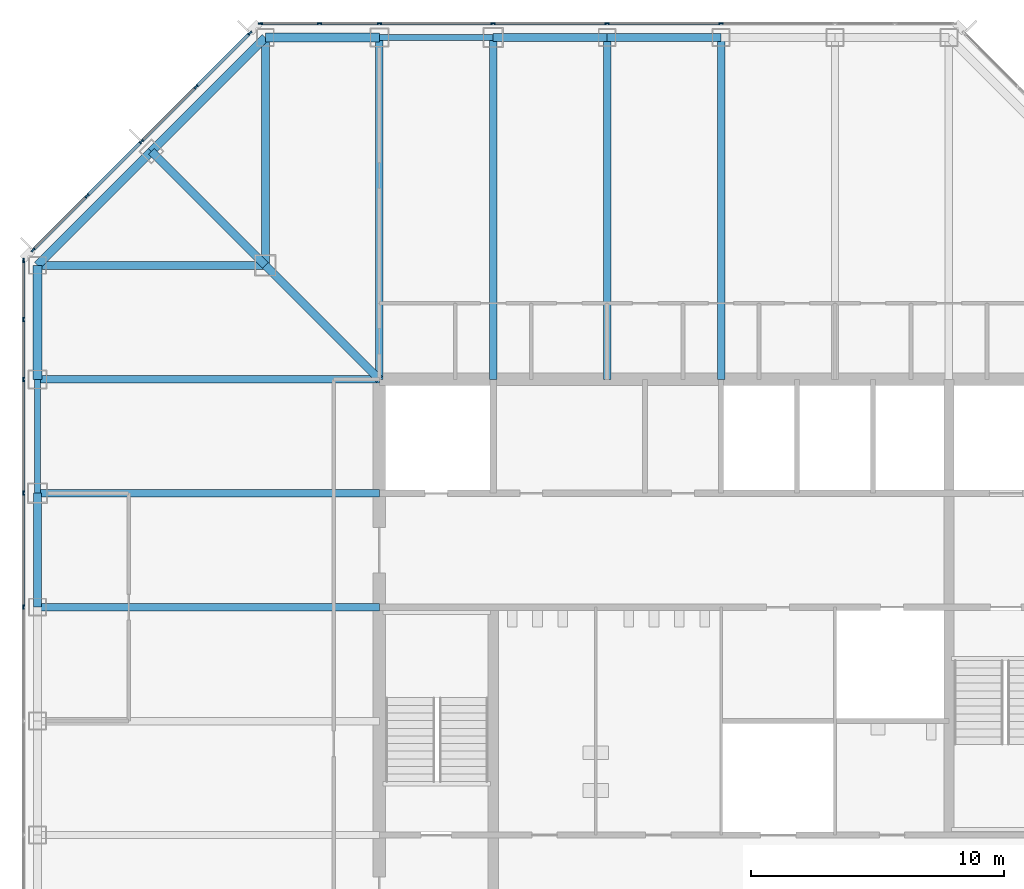
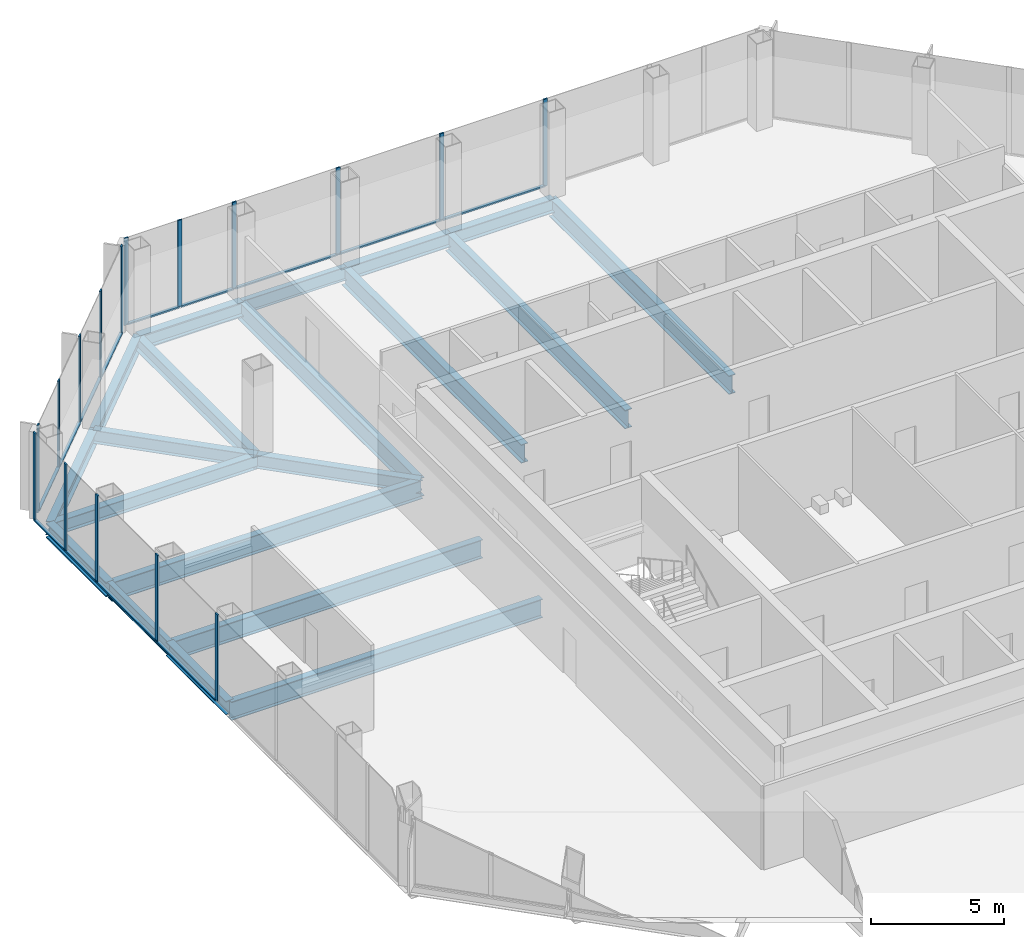
# One storey, part 5 of 12: 29 members, 20 beams, 3 elements without a shape of their own.
"""IFC4 building model written with IfcOpenShell, lengths in metres."""

from ifc_helpers import new_model, si_unit, direction, frame, origin, origin_2d, place, context, subcontext, project, spatial, rectangle, i_section, extrude, material, material_profile, profile_set, type_object, element, aggregate, save


model = new_model("IFC4")

# Units and contexts
model_context = context("Model", 3, precision=1e-05, world=origin(), true_north=direction((0.0, 1.0)))
body_context = subcontext(model_context, "Body", "Model", "MODEL_VIEW")
ifc_project = project(units=[si_unit("LENGTHUNIT", "METRE"), si_unit("AREAUNIT", "SQUARE_METRE"), si_unit("VOLUMEUNIT", "CUBIC_METRE"), si_unit("PLANEANGLEUNIT", "RADIAN"), si_unit("MASSUNIT", "GRAM", prefix="KILO")], contexts=[model_context])

# Site, building, storey
site_placement = place(None, origin())
site = spatial("IfcSite", under=ifc_project, at=site_placement, CompositionType="ELEMENT")
building_placement = place(site_placement, origin())
building = spatial("IfcBuilding", under=site, at=building_placement, Name="Corais Broadcast Tower", CompositionType="ELEMENT")
storey_placement = place(building_placement, frame((0.0, 0.0, 163.60009765625)))
storey = spatial("IfcBuildingStorey", under=building, at=storey_placement, Name="L37", CompositionType="ELEMENT", Elevation=163.60009765625)

# Beams
ifc_material_1 = material(Name="Steel ASTM A572 Grade 50", Category="steel")
ifc_material_profile_1 = material_profile(ifc_material_1, i_section(OverallWidth=0.323974609375, OverallDepth=0.611083984375, WebThickness=0.0126953125, FlangeThickness=0.01904296875, at=origin_2d()), Name="W610x155")
ifc_profile_set_1 = profile_set([ifc_material_profile_1], Name="Steel ASTM A572 Grade 50")
beam_type_1 = type_object("IfcBeamType", Name="Chamfer tie W610x155", PredefinedType="BEAM", material=ifc_profile_set_1)
beam_1_placement = place(storey_placement, frame((4.5, 49.5, -0.465576171875), z_axis=(0.707106781187, -0.707106781187, 0.0), x_axis=(0.707106781187, 0.707106781187, 0.0)))
element("IfcBeam", 1, at=beam_1_placement, inside=storey, type_object=beam_type_1, Name="B5 M/4 to L/5", PredefinedType="BEAM", context=body_context, shape_type="SweptSolid", body=[
    extrude(i_section(OverallWidth=0.323974609375, OverallDepth=0.611083984375, WebThickness=0.0126953125, FlangeThickness=0.01904296875, at=origin_2d()), origin(), (0.0, 0.0, 1.0), 6.364013671875),
])
ifc_material_2 = material(Name="Steel ASTM A572 Grade 50", Category="steel")
ifc_material_profile_2 = material_profile(ifc_material_2, i_section(OverallWidth=0.323974609375, OverallDepth=0.611083984375, WebThickness=0.0126953125, FlangeThickness=0.01904296875, at=origin_2d()), Name="W610x155")
ifc_profile_set_2 = profile_set([ifc_material_profile_2], Name="Steel ASTM A572 Grade 50")
beam_type_2 = type_object("IfcBeamType", Name="Corner diagonal W610x155", PredefinedType="BEAM", material=ifc_profile_set_2)
beam_2_placement = place(storey_placement, frame((9.0, 45.0, -0.465576171875), z_axis=(0.707106781187, -0.707106781187, 0.0), x_axis=(0.707106781187, 0.707106781187, 0.0)))
element("IfcBeam", 2, at=beam_2_placement, inside=storey, type_object=beam_type_2, Name="B6 L/5 to K/6", PredefinedType="BEAM", context=body_context, shape_type="SweptSolid", body=[
    extrude(i_section(OverallWidth=0.323974609375, OverallDepth=0.611083984375, WebThickness=0.0126953125, FlangeThickness=0.01904296875, at=origin_2d()), origin(), (0.0, 0.0, 1.0), 6.364013671875),
])
ifc_material_3 = material(Name="Steel ASTM A572 Grade 50", Category="steel")
ifc_material_profile_3 = material_profile(ifc_material_3, i_section(OverallWidth=0.323974609375, OverallDepth=0.611083984375, WebThickness=0.0126953125, FlangeThickness=0.01904296875, at=origin_2d()), Name="W610x155")
ifc_profile_set_3 = profile_set([ifc_material_profile_3], Name="Steel ASTM A572 Grade 50")
beam_type_3 = type_object("IfcBeamType", Name="Corner girder W610x155", PredefinedType="BEAM", material=ifc_profile_set_3)
for number, where, z_axis, x_axis, name in (
    (3, (0.0, 45.0, -0.465576171875), (1.0, 0.0, 0.0), (0.0, 1.0, 0.0), "B4 L/3 to L/5"),
    (4, (9.0, 54.0, -0.465576171875), (0.0, -1.0, 0.0), (1.0, 0.0, 0.0), "B4 N/5 to L/5"),
):
    element("IfcBeam", number, at=place(storey_placement, frame(where, z_axis=z_axis, x_axis=x_axis)), inside=storey, type_object=beam_type_3, Name=name, PredefinedType="BEAM", context=body_context, shape_type="SweptSolid", body=[
        extrude(i_section(OverallWidth=0.323974609375, OverallDepth=0.611083984375, WebThickness=0.0126953125, FlangeThickness=0.01904296875, at=origin_2d()), origin(), (0.0, 0.0, 1.0), 9.0),
    ])
ifc_material_4 = material(Name="Steel ASTM A572 Grade 50", Category="steel")
ifc_material_profile_4 = material_profile(ifc_material_4, i_section(OverallWidth=0.337890625, OverallDepth=0.677978515625, WebThickness=0.029541015625, FlangeThickness=0.052978515625, at=origin_2d()), Name="W610x415")
ifc_profile_set_4 = profile_set([ifc_material_profile_4], Name="Steel ASTM A572 Grade 50")
beam_type_4 = type_object("IfcBeamType", Name="Corner spandrel W610x415", PredefinedType="BEAM", material=ifc_profile_set_4)
for number, where, z_axis, x_axis, name in (
    (5, (0.0, 45.0, -0.4990234375), (0.0, -1.0, 0.0), (1.0, 0.0, 0.0), "SB10 L/3 to K/3"),
    (6, (13.5, 54.0, -0.4990234375), (-1.0, 0.0, 0.0), (0.0, -1.0, 0.0), "SB10 N/6 to N/5"),
):
    element("IfcBeam", number, at=place(storey_placement, frame(where, z_axis=z_axis, x_axis=x_axis)), inside=storey, type_object=beam_type_4, Name=name, PredefinedType="BEAM", context=body_context, shape_type="SweptSolid", body=[
        extrude(i_section(OverallWidth=0.337890625, OverallDepth=0.677978515625, WebThickness=0.029541015625, FlangeThickness=0.052978515625, at=origin_2d()), origin(), (0.0, 0.0, 1.0), 4.5),
    ])
ifc_material_5 = material(Name="Steel ASTM A572 Grade 50", Category="steel")
ifc_material_profile_5 = material_profile(ifc_material_5, i_section(OverallWidth=0.2939453125, OverallDepth=0.85107421875, WebThickness=0.01611328125, FlangeThickness=0.02685546875, at=origin_2d()), Name="W840x226")
ifc_profile_set_5 = profile_set([ifc_material_profile_5], Name="Steel ASTM A572 Grade 50")
beam_type_5 = type_object("IfcBeamType", Name="Floor beam W840x226", PredefinedType="BEAM", material=ifc_profile_set_5)
for number, where, z_axis, x_axis, name in (
    (7, (0.0, 31.5, -0.585693359375), (1.0, 0.0, 0.0), (0.0, 1.0, 0.0), "B1 H/3 to H/6"),
    (8, (0.0, 36.0, -0.585693359375), (1.0, 0.0, 0.0), (0.0, 1.0, 0.0), "B1 J/3 to J/6"),
    (9, (0.0, 40.5, -0.585693359375), (1.0, 0.0, 0.0), (0.0, 1.0, 0.0), "B1 K/3 to K/6"),
    (10, (13.5, 54.0, -0.585693359375), (0.0, -1.0, 0.0), (1.0, 0.0, 0.0), "B1 N/6 to K/6"),
    (11, (18.0, 54.0, -0.585693359375), (0.0, -1.0, 0.0), (1.0, 0.0, 0.0), "B1 N/7 to K/7"),
    (12, (22.5, 54.0, -0.585693359375), (0.0, -1.0, 0.0), (1.0, 0.0, 0.0), "B1 N/8 to K/8"),
    (13, (27.0, 54.0, -0.585693359375), (0.0, -1.0, 0.0), (1.0, 0.0, 0.0), "B1 N/9 to K/9"),
):
    element("IfcBeam", number, at=place(storey_placement, frame(where, z_axis=z_axis, x_axis=x_axis)), inside=storey, type_object=beam_type_5, Name=name, PredefinedType="BEAM", context=body_context, shape_type="SweptSolid", body=[
        extrude(i_section(OverallWidth=0.2939453125, OverallDepth=0.85107421875, WebThickness=0.01611328125, FlangeThickness=0.02685546875, at=origin_2d()), origin(), (0.0, 0.0, 1.0), 13.5),
    ])

# Curtain wall, members
ifc_material_6 = material(Name="Aluminium and glass", Category="aluminium")
curtain_wall_type = type_object("IfcCurtainWallType", Name="Unitised fritted curtain wall CW2", PredefinedType="NOTDEFINED", material=ifc_material_6)
curtain_wall_1_placement = place(storey_placement, origin())
curtain_wall_1 = element("IfcCurtainWall", 14, at=curtain_wall_1_placement, inside=storey, type_object=curtain_wall_type, Name="CW2 curtain wall L37 2", PredefinedType="NOTDEFINED")
ifc_material_7 = material(Name="Aluminium 6063-T6", Category="aluminium")
ifc_material_profile_6 = material_profile(ifc_material_7, rectangle(XDim=0.06494140625, YDim=0.179931640625, at=origin_2d()), Name="Mullion CW2 65x180")
ifc_profile_set_6 = profile_set([ifc_material_profile_6], Name="Aluminium 6063-T6")
member_type_1 = type_object("IfcMemberType", Name="Mullion CW2 65x180", PredefinedType="MULLION", material=ifc_profile_set_6)
member_1_placement = place(storey_placement, frame((-0.550048828125, 31.5, 0.0), z_axis=(0.0, 0.0, 1.0), x_axis=(-1.0, 0.0, 0.0)))
member_1 = element("IfcMember", 15, at=member_1_placement, type_object=member_type_1, Name="CW2 mullion 5", PredefinedType="MULLION", context=body_context, shape_type="SweptSolid", body=[
    extrude(rectangle(XDim=0.06494140625, YDim=0.179931640625, at=origin_2d()), origin(), (0.0, 0.0, 1.0), 4.0),
])
member_2_placement = place(storey_placement, frame((-0.550048828125, 36.0, 0.0), z_axis=(0.0, 0.0, 1.0), x_axis=(-1.0, 0.0, 0.0)))
member_2 = element("IfcMember", 16, at=member_2_placement, type_object=member_type_1, Name="CW2 mullion 6", PredefinedType="MULLION", context=body_context, shape_type="SweptSolid", body=[
    extrude(rectangle(XDim=0.06494140625, YDim=0.179931640625, at=origin_2d()), origin(), (0.0, 0.0, 1.0), 4.0),
])
member_3_placement = place(storey_placement, frame((-0.550048828125, 40.5, 0.0), z_axis=(0.0, 0.0, 1.0), x_axis=(-1.0, 0.0, 0.0)))
member_3 = element("IfcMember", 17, at=member_3_placement, type_object=member_type_1, Name="CW2 mullion 7", PredefinedType="MULLION", context=body_context, shape_type="SweptSolid", body=[
    extrude(rectangle(XDim=0.06494140625, YDim=0.179931640625, at=origin_2d()), origin(), (0.0, 0.0, 1.0), 4.0),
])
member_4_placement = place(storey_placement, frame((-0.550048828125, 42.864013671875, 0.0), z_axis=(0.0, 0.0, 1.0), x_axis=(-1.0, 0.0, 0.0)))
member_4 = element("IfcMember", 18, at=member_4_placement, type_object=member_type_1, Name="CW2 mullion 8", PredefinedType="MULLION", context=body_context, shape_type="SweptSolid", body=[
    extrude(rectangle(XDim=0.06494140625, YDim=0.179931640625, at=origin_2d()), origin(), (0.0, 0.0, 1.0), 4.0),
])
member_5_placement = place(storey_placement, frame((-0.550048828125, 45.1953125, 0.0), z_axis=(0.0, 0.0, 1.0), x_axis=(-1.0, 0.0, 0.0)))
member_5 = element("IfcMember", 19, at=member_5_placement, type_object=member_type_1, Name="CW2 mullion 9", PredefinedType="MULLION", context=body_context, shape_type="SweptSolid", body=[
    extrude(rectangle(XDim=0.06494140625, YDim=0.179931640625, at=origin_2d()), origin(), (0.0, 0.0, 1.0), 4.0),
])

curtain_wall_2_placement = place(storey_placement, origin())
curtain_wall_2 = element("IfcCurtainWall", 20, at=curtain_wall_2_placement, inside=storey, type_object=curtain_wall_type, Name="CW2 curtain wall L37 3", PredefinedType="NOTDEFINED")
member_6_placement = place(storey_placement, frame((-0.17333984375, 45.6044921875, 0.0), z_axis=(0.0, 0.0, 1.0), x_axis=(-0.707106781187, 0.707106781187, 0.0)))
member_6 = element("IfcMember", 21, at=member_6_placement, type_object=member_type_1, Name="CW2 mullion 1", PredefinedType="MULLION", context=body_context, shape_type="SweptSolid", body=[
    extrude(rectangle(XDim=0.06494140625, YDim=0.179931640625, at=origin_2d()), origin(), (0.0, 0.0, 1.0), 4.0),
])
member_7_placement = place(storey_placement, frame((1.957275390625, 47.735107421875, 0.0), z_axis=(0.0, 0.0, 1.0), x_axis=(-0.707106781187, 0.707106781187, 0.0)))
member_7 = element("IfcMember", 22, at=member_7_placement, type_object=member_type_1, Name="CW2 mullion 2", PredefinedType="MULLION", context=body_context, shape_type="SweptSolid", body=[
    extrude(rectangle(XDim=0.06494140625, YDim=0.179931640625, at=origin_2d()), origin(), (0.0, 0.0, 1.0), 4.0),
])
member_8_placement = place(storey_placement, frame((4.111083984375, 49.888916015625, 0.0), z_axis=(0.0, 0.0, 1.0), x_axis=(-0.707106781187, 0.707106781187, 0.0)))
member_8 = element("IfcMember", 23, at=member_8_placement, type_object=member_type_1, Name="CW2 mullion 3", PredefinedType="MULLION", context=body_context, shape_type="SweptSolid", body=[
    extrude(rectangle(XDim=0.06494140625, YDim=0.179931640625, at=origin_2d()), origin(), (0.0, 0.0, 1.0), 4.0),
])
member_9_placement = place(storey_placement, frame((6.264892578125, 52.042724609375, 0.0), z_axis=(0.0, 0.0, 1.0), x_axis=(-0.707106781187, 0.707106781187, 0.0)))
member_9 = element("IfcMember", 24, at=member_9_placement, type_object=member_type_1, Name="CW2 mullion 4", PredefinedType="MULLION", context=body_context, shape_type="SweptSolid", body=[
    extrude(rectangle(XDim=0.06494140625, YDim=0.179931640625, at=origin_2d()), origin(), (0.0, 0.0, 1.0), 4.0),
])
member_10_placement = place(storey_placement, frame((8.3955078125, 54.17333984375, 0.0), z_axis=(0.0, 0.0, 1.0), x_axis=(-0.707106781187, 0.707106781187, 0.0)))
member_10 = element("IfcMember", 25, at=member_10_placement, type_object=member_type_1, Name="CW2 mullion 5", PredefinedType="MULLION", context=body_context, shape_type="SweptSolid", body=[
    extrude(rectangle(XDim=0.06494140625, YDim=0.179931640625, at=origin_2d()), origin(), (0.0, 0.0, 1.0), 4.0),
])

curtain_wall_3_placement = place(storey_placement, origin())
curtain_wall_3 = element("IfcCurtainWall", 26, at=curtain_wall_3_placement, inside=storey, type_object=curtain_wall_type, Name="CW2 curtain wall L37 4", PredefinedType="NOTDEFINED")
member_11_placement = place(storey_placement, frame((8.8046875, 54.550048828125, 0.0), z_axis=(0.0, 0.0, 1.0), x_axis=(0.0, 1.0, 0.0)))
member_11 = element("IfcMember", 27, at=member_11_placement, type_object=member_type_1, Name="CW2 mullion 1", PredefinedType="MULLION", context=body_context, shape_type="SweptSolid", body=[
    extrude(rectangle(XDim=0.06494140625, YDim=0.179931640625, at=origin_2d()), origin(), (0.0, 0.0, 1.0), 4.0),
])
member_12_placement = place(storey_placement, frame((11.135986328125, 54.550048828125, 0.0), z_axis=(0.0, 0.0, 1.0), x_axis=(0.0, 1.0, 0.0)))
member_12 = element("IfcMember", 28, at=member_12_placement, type_object=member_type_1, Name="CW2 mullion 2", PredefinedType="MULLION", context=body_context, shape_type="SweptSolid", body=[
    extrude(rectangle(XDim=0.06494140625, YDim=0.179931640625, at=origin_2d()), origin(), (0.0, 0.0, 1.0), 4.0),
])
member_13_placement = place(storey_placement, frame((13.5, 54.550048828125, 0.0), z_axis=(0.0, 0.0, 1.0), x_axis=(0.0, 1.0, 0.0)))
member_13 = element("IfcMember", 29, at=member_13_placement, type_object=member_type_1, Name="CW2 mullion 3", PredefinedType="MULLION", context=body_context, shape_type="SweptSolid", body=[
    extrude(rectangle(XDim=0.06494140625, YDim=0.179931640625, at=origin_2d()), origin(), (0.0, 0.0, 1.0), 4.0),
])
member_14_placement = place(storey_placement, frame((18.0, 54.550048828125, 0.0), z_axis=(0.0, 0.0, 1.0), x_axis=(0.0, 1.0, 0.0)))
member_14 = element("IfcMember", 30, at=member_14_placement, type_object=member_type_1, Name="CW2 mullion 4", PredefinedType="MULLION", context=body_context, shape_type="SweptSolid", body=[
    extrude(rectangle(XDim=0.06494140625, YDim=0.179931640625, at=origin_2d()), origin(), (0.0, 0.0, 1.0), 4.0),
])
member_15_placement = place(storey_placement, frame((22.5, 54.550048828125, 0.0), z_axis=(0.0, 0.0, 1.0), x_axis=(0.0, 1.0, 0.0)))
member_15 = element("IfcMember", 31, at=member_15_placement, type_object=member_type_1, Name="CW2 mullion 5", PredefinedType="MULLION", context=body_context, shape_type="SweptSolid", body=[
    extrude(rectangle(XDim=0.06494140625, YDim=0.179931640625, at=origin_2d()), origin(), (0.0, 0.0, 1.0), 4.0),
])
member_16_placement = place(storey_placement, frame((27.0, 54.550048828125, 0.0), z_axis=(0.0, 0.0, 1.0), x_axis=(0.0, 1.0, 0.0)))
member_16 = element("IfcMember", 32, at=member_16_placement, type_object=member_type_1, Name="CW2 mullion 6", PredefinedType="MULLION", context=body_context, shape_type="SweptSolid", body=[
    extrude(rectangle(XDim=0.06494140625, YDim=0.179931640625, at=origin_2d()), origin(), (0.0, 0.0, 1.0), 4.0),
])

# Beams
ifc_material_8 = material(Name="Steel ASTM A572 Grade 50", Category="steel")
ifc_material_profile_7 = material_profile(ifc_material_8, i_section(OverallWidth=0.22900390625, OverallDepth=0.612060546875, WebThickness=0.011962890625, FlangeThickness=0.01953125, at=origin_2d()), Name="W610x125")
ifc_profile_set_7 = profile_set([ifc_material_profile_7], Name="Steel ASTM A572 Grade 50")
beam_type_6 = type_object("IfcBeamType", Name="Pinned spandrel W610x125", PredefinedType="BEAM", material=ifc_profile_set_7)
for number, where, z_axis, x_axis, name in (
    (33, (0.0, 40.5, -0.466064453125), (0.0, -1.0, 0.0), (1.0, 0.0, 0.0), "SB7 K/3 to J/3"),
    (34, (18.0, 54.0, -0.466064453125), (-1.0, 0.0, 0.0), (0.0, -1.0, 0.0), "SB7 N/7 to N/6"),
):
    element("IfcBeam", number, at=place(storey_placement, frame(where, z_axis=z_axis, x_axis=x_axis)), inside=storey, type_object=beam_type_6, Name=name, PredefinedType="BEAM", context=body_context, shape_type="SweptSolid", body=[
        extrude(i_section(OverallWidth=0.22900390625, OverallDepth=0.612060546875, WebThickness=0.011962890625, FlangeThickness=0.01953125, at=origin_2d()), origin(), (0.0, 0.0, 1.0), 4.5),
    ])
ifc_material_9 = material(Name="Steel ASTM A572 Grade 50", Category="steel")
ifc_material_profile_8 = material_profile(ifc_material_9, i_section(OverallWidth=0.3291015625, OverallDepth=0.635009765625, WebThickness=0.017822265625, FlangeThickness=0.031005859375, at=origin_2d()), Name="W610x241")
ifc_profile_set_8 = profile_set([ifc_material_profile_8], Name="Steel ASTM A572 Grade 50")
beam_type_7 = type_object("IfcBeamType", Name="Spandrel W610x241", PredefinedType="BEAM", material=ifc_profile_set_8)
for number, where, z_axis, x_axis, name in (
    (35, (0.0, 36.0, -0.4775390625), (0.0, -1.0, 0.0), (1.0, 0.0, 0.0), "SB1 J/3 to H/3"),
    (36, (22.5, 54.0, -0.4775390625), (-1.0, 0.0, 0.0), (0.0, -1.0, 0.0), "SB1 N/8 to N/7"),
    (37, (27.0, 54.0, -0.4775390625), (-1.0, 0.0, 0.0), (0.0, -1.0, 0.0), "SB1 N/9 to N/8"),
):
    element("IfcBeam", number, at=place(storey_placement, frame(where, z_axis=z_axis, x_axis=x_axis)), inside=storey, type_object=beam_type_7, Name=name, PredefinedType="BEAM", context=body_context, shape_type="SweptSolid", body=[
        extrude(i_section(OverallWidth=0.3291015625, OverallDepth=0.635009765625, WebThickness=0.017822265625, FlangeThickness=0.031005859375, at=origin_2d()), origin(), (0.0, 0.0, 1.0), 4.5),
    ])
for number, where, z_axis, x_axis, name in (
    (38, (4.5, 49.5, -0.4775390625), (-0.707106781187, -0.707106781187, 0.0), (0.707106781187, -0.707106781187, 0.0), "SB1 M/4 to L/3"),
    (39, (9.0, 54.0, -0.4775390625), (-0.707106781187, -0.707106781187, 0.0), (0.707106781187, -0.707106781187, 0.0), "SB1 N/5 to M/4"),
):
    element("IfcBeam", number, at=place(storey_placement, frame(where, z_axis=z_axis, x_axis=x_axis)), inside=storey, type_object=beam_type_7, Name=name, PredefinedType="BEAM", context=body_context, shape_type="SweptSolid", body=[
        extrude(i_section(OverallWidth=0.3291015625, OverallDepth=0.635009765625, WebThickness=0.017822265625, FlangeThickness=0.031005859375, at=origin_2d()), origin(), (0.0, 0.0, 1.0), 6.364013671875),
    ])

# Member
ifc_material_10 = material(Name="Aluminium 6063-T6", Category="aluminium")
ifc_material_profile_9 = material_profile(ifc_material_10, rectangle(XDim=0.1298828125, YDim=0.06494140625, at=origin_2d()), Name="Transom CW2 65x130")
ifc_profile_set_9 = profile_set([ifc_material_profile_9], Name="Aluminium 6063-T6")
member_type_2 = type_object("IfcMemberType", Name="Transom CW2 65x130", PredefinedType="USERDEFINED", material=ifc_profile_set_9)
member_17_placement = place(storey_placement, frame((-0.550048828125, 31.532470703125, 0.032470703125), z_axis=(0.0, 1.0, 0.0), x_axis=(-1.0, 0.0, 0.0)))
member_17 = element("IfcMember", 40, at=member_17_placement, type_object=member_type_2, Name="CW2 transom 5.1", ObjectType="TRANSOM", PredefinedType="USERDEFINED", context=body_context, shape_type="SweptSolid", body=[
    extrude(rectangle(XDim=0.1298828125, YDim=0.06494140625, at=origin_2d()), origin(), (0.0, 0.0, 1.0), 4.43505859375),
])

member_18_placement = place(storey_placement, frame((-0.550048828125, 36.032470703125, 0.032470703125), z_axis=(0.0, 1.0, 0.0), x_axis=(-1.0, 0.0, 0.0)))
member_18 = element("IfcMember", 41, at=member_18_placement, type_object=member_type_2, Name="CW2 transom 6.1", ObjectType="TRANSOM", PredefinedType="USERDEFINED", context=body_context, shape_type="SweptSolid", body=[
    extrude(rectangle(XDim=0.1298828125, YDim=0.06494140625, at=origin_2d()), origin(), (0.0, 0.0, 1.0), 4.43505859375),
])

member_19_placement = place(storey_placement, frame((-0.550048828125, 40.532470703125, 0.032470703125), z_axis=(0.0, 1.0, 0.0), x_axis=(-1.0, 0.0, 0.0)))
member_19 = element("IfcMember", 42, at=member_19_placement, type_object=member_type_2, Name="CW2 transom 7.1", ObjectType="TRANSOM", PredefinedType="USERDEFINED", context=body_context, shape_type="SweptSolid", body=[
    extrude(rectangle(XDim=0.1298828125, YDim=0.06494140625, at=origin_2d()), origin(), (0.0, 0.0, 1.0), 2.298828125),
])

member_20_placement = place(storey_placement, frame((-0.550048828125, 42.896484375, 0.032470703125), z_axis=(0.0, 1.0, 0.0), x_axis=(-1.0, 0.0, 0.0)))
member_20 = element("IfcMember", 43, at=member_20_placement, type_object=member_type_2, Name="CW2 transom 8.1", ObjectType="TRANSOM", PredefinedType="USERDEFINED", context=body_context, shape_type="SweptSolid", body=[
    extrude(rectangle(XDim=0.1298828125, YDim=0.06494140625, at=origin_2d()), origin(), (0.0, 0.0, 1.0), 2.266357421875),
])

aggregate(curtain_wall_1, [member_1, member_2, member_3, member_4, member_5, member_17, member_18, member_19, member_20])

member_21_placement = place(storey_placement, frame((-0.150390625, 45.62744140625, 0.032470703125), z_axis=(0.707106781187, 0.707106781187, 0.0), x_axis=(-0.707106781187, 0.707106781187, 0.0)))
member_21 = element("IfcMember", 44, at=member_21_placement, type_object=member_type_2, Name="CW2 transom 1.1", ObjectType="TRANSOM", PredefinedType="USERDEFINED", context=body_context, shape_type="SweptSolid", body=[
    extrude(rectangle(XDim=0.1298828125, YDim=0.06494140625, at=origin_2d()), origin(), (0.0, 0.0, 1.0), 2.9482421875),
])

member_22_placement = place(storey_placement, frame((1.980224609375, 47.758056640625, 0.032470703125), z_axis=(0.707106781187, 0.707106781187, 0.0), x_axis=(-0.707106781187, 0.707106781187, 0.0)))
member_22 = element("IfcMember", 45, at=member_22_placement, type_object=member_type_2, Name="CW2 transom 2.1", ObjectType="TRANSOM", PredefinedType="USERDEFINED", context=body_context, shape_type="SweptSolid", body=[
    extrude(rectangle(XDim=0.1298828125, YDim=0.06494140625, at=origin_2d()), origin(), (0.0, 0.0, 1.0), 2.98095703125),
])

member_23_placement = place(storey_placement, frame((4.134033203125, 49.911865234375, 0.032470703125), z_axis=(0.707106781187, 0.707106781187, 0.0), x_axis=(-0.707106781187, 0.707106781187, 0.0)))
member_23 = element("IfcMember", 46, at=member_23_placement, type_object=member_type_2, Name="CW2 transom 3.1", ObjectType="TRANSOM", PredefinedType="USERDEFINED", context=body_context, shape_type="SweptSolid", body=[
    extrude(rectangle(XDim=0.1298828125, YDim=0.06494140625, at=origin_2d()), origin(), (0.0, 0.0, 1.0), 2.98095703125),
])

member_24_placement = place(storey_placement, frame((6.287841796875, 52.065673828125, 0.032470703125), z_axis=(0.707106781187, 0.707106781187, 0.0), x_axis=(-0.707106781187, 0.707106781187, 0.0)))
member_24 = element("IfcMember", 47, at=member_24_placement, type_object=member_type_2, Name="CW2 transom 4.1", ObjectType="TRANSOM", PredefinedType="USERDEFINED", context=body_context, shape_type="SweptSolid", body=[
    extrude(rectangle(XDim=0.1298828125, YDim=0.06494140625, at=origin_2d()), origin(), (0.0, 0.0, 1.0), 2.9482421875),
])

aggregate(curtain_wall_2, [member_6, member_7, member_8, member_9, member_10, member_21, member_22, member_23, member_24])

member_25_placement = place(storey_placement, frame((8.837158203125, 54.550048828125, 0.032470703125), z_axis=(1.0, 0.0, 0.0), x_axis=(0.0, 1.0, 0.0)))
member_25 = element("IfcMember", 48, at=member_25_placement, type_object=member_type_2, Name="CW2 transom 1.1", ObjectType="TRANSOM", PredefinedType="USERDEFINED", context=body_context, shape_type="SweptSolid", body=[
    extrude(rectangle(XDim=0.1298828125, YDim=0.06494140625, at=origin_2d()), origin(), (0.0, 0.0, 1.0), 2.266357421875),
])

member_26_placement = place(storey_placement, frame((11.168701171875, 54.550048828125, 0.032470703125), z_axis=(1.0, 0.0, 0.0), x_axis=(0.0, 1.0, 0.0)))
member_26 = element("IfcMember", 49, at=member_26_placement, type_object=member_type_2, Name="CW2 transom 2.1", ObjectType="TRANSOM", PredefinedType="USERDEFINED", context=body_context, shape_type="SweptSolid", body=[
    extrude(rectangle(XDim=0.1298828125, YDim=0.06494140625, at=origin_2d()), origin(), (0.0, 0.0, 1.0), 2.298828125),
])

member_27_placement = place(storey_placement, frame((13.532470703125, 54.550048828125, 0.032470703125), z_axis=(1.0, 0.0, 0.0), x_axis=(0.0, 1.0, 0.0)))
member_27 = element("IfcMember", 50, at=member_27_placement, type_object=member_type_2, Name="CW2 transom 3.1", ObjectType="TRANSOM", PredefinedType="USERDEFINED", context=body_context, shape_type="SweptSolid", body=[
    extrude(rectangle(XDim=0.1298828125, YDim=0.06494140625, at=origin_2d()), origin(), (0.0, 0.0, 1.0), 4.43505859375),
])

member_28_placement = place(storey_placement, frame((18.032470703125, 54.550048828125, 0.032470703125), z_axis=(1.0, 0.0, 0.0), x_axis=(0.0, 1.0, 0.0)))
member_28 = element("IfcMember", 51, at=member_28_placement, type_object=member_type_2, Name="CW2 transom 4.1", ObjectType="TRANSOM", PredefinedType="USERDEFINED", context=body_context, shape_type="SweptSolid", body=[
    extrude(rectangle(XDim=0.1298828125, YDim=0.06494140625, at=origin_2d()), origin(), (0.0, 0.0, 1.0), 4.43505859375),
])

member_29_placement = place(storey_placement, frame((22.532470703125, 54.550048828125, 0.032470703125), z_axis=(1.0, 0.0, 0.0), x_axis=(0.0, 1.0, 0.0)))
member_29 = element("IfcMember", 52, at=member_29_placement, type_object=member_type_2, Name="CW2 transom 5.1", ObjectType="TRANSOM", PredefinedType="USERDEFINED", context=body_context, shape_type="SweptSolid", body=[
    extrude(rectangle(XDim=0.1298828125, YDim=0.06494140625, at=origin_2d()), origin(), (0.0, 0.0, 1.0), 4.43505859375),
])

aggregate(curtain_wall_3, [member_11, member_12, member_13, member_14, member_15, member_16, member_25, member_26, member_27, member_28, member_29])

save(model, "model.ifc")
